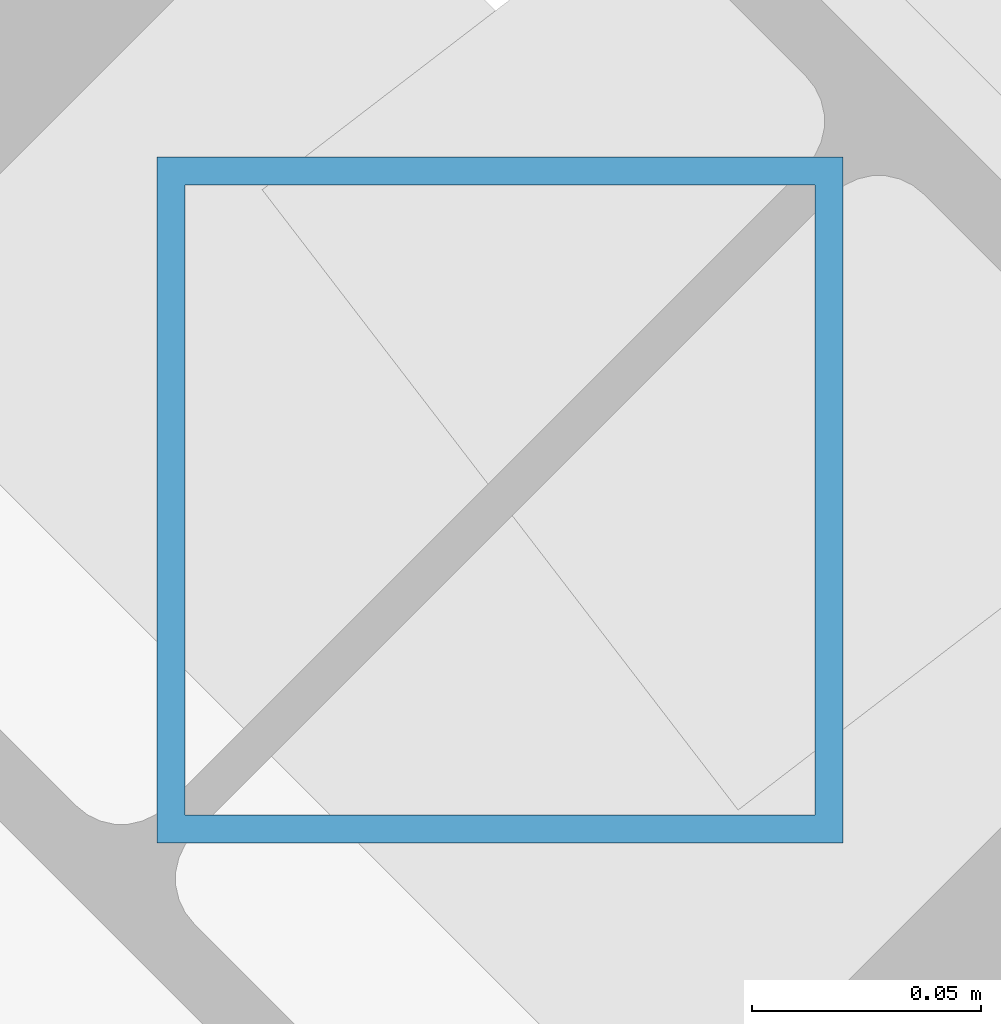
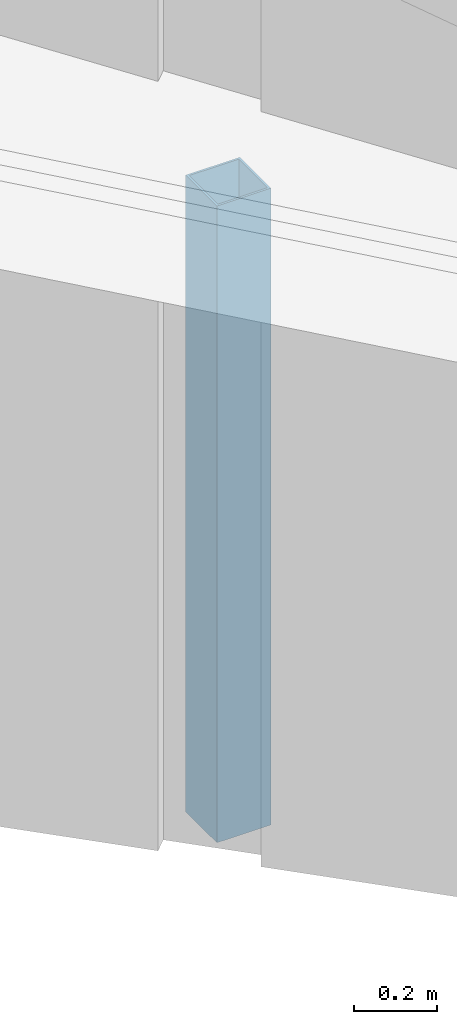
# One storey, part 41 of 93: 1 member.
"""IFC4 building model written with IfcOpenShell, lengths in metres."""

from ifc_helpers import new_model, si_unit, direction, frame, origin, origin_2d, place, context, subcontext, project, spatial, hollow_rectangle, extrude, material, material_profile, profile_set, type_object, element, save


model = new_model("IFC4")

# Units and contexts
model_context = context("Model", 3, precision=1e-05, world=origin(), true_north=direction((0.0, 1.0)))
body_context = subcontext(model_context, "Body", "Model", "MODEL_VIEW")
ifc_project = project(units=[si_unit("LENGTHUNIT", "METRE"), si_unit("AREAUNIT", "SQUARE_METRE"), si_unit("VOLUMEUNIT", "CUBIC_METRE"), si_unit("PLANEANGLEUNIT", "RADIAN"), si_unit("MASSUNIT", "GRAM", prefix="KILO")], contexts=[model_context])

# Site, building, storey
site_placement = place(None, origin())
site = spatial("IfcSite", under=ifc_project, at=site_placement, CompositionType="ELEMENT")
building_placement = place(site_placement, origin())
building = spatial("IfcBuilding", under=site, at=building_placement, Name="Vondelvale Polytechnic", CompositionType="ELEMENT")
storey_placement = place(building_placement, frame((0.0, 0.0, 18.0)))
storey = spatial("IfcBuildingStorey", under=building, at=storey_placement, Name="L04", CompositionType="ELEMENT", Elevation=18.0)

# Member
ifc_material = material(Name="Steel C350L0 (fy = 350 MPa)", Category="steel")
ifc_material_profile = material_profile(ifc_material, hollow_rectangle(XDim=0.14990234375, YDim=0.14990234375, WallThickness=0.006103515625, at=origin_2d()), Name="150x150x6.0SHS")
ifc_profile_set = profile_set([ifc_material_profile], Name="Steel C350L0 (fy = 350 MPa)")
member_type = type_object("IfcMemberType", Name="ROOF TRUSS POST 150SHS", PredefinedType="POST", material=ifc_profile_set)
member_placement = place(storey_placement, frame((75.8369140625, 98.1630859375, 0.0), z_axis=(0.0, 0.0, 1.0), x_axis=(1.0, 0.0, 0.0)))
element("IfcMember", 1, at=member_placement, inside=storey, type_object=member_type, Name="Ring mid roof post 09", PredefinedType="POST", context=body_context, shape_type="SweptSolid", body=[
    extrude(hollow_rectangle(XDim=0.14990234375, YDim=0.14990234375, WallThickness=0.006103515625, at=origin_2d()), origin(), (0.0, 0.0, 1.0), 1.86572265625),
])

save(model, "model.ifc")
